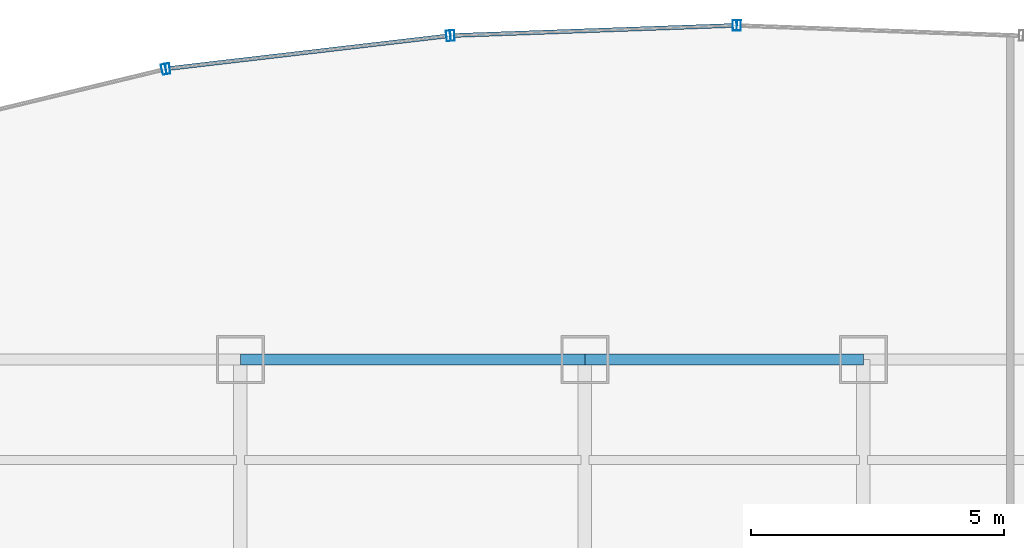
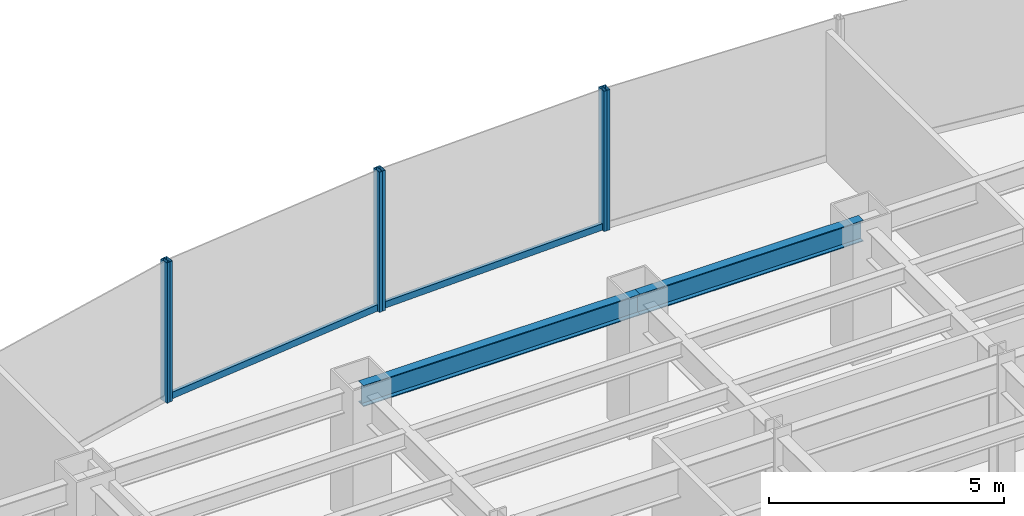
# One storey, part 13 of 23: 8 members, 2 beams, 4 elements without a shape of their own.
"""IFC4 building model written with IfcOpenShell, lengths in metres."""

from ifc_helpers import new_model, si_unit, derived_unit, direction, frame, origin, origin_2d, place, context, subcontext, project, spatial, hollow_rectangle, i_section, extrude, source, transform, mapped, material, material_profile, profile_set, type_object, element, aggregate, save


model = new_model("IFC4")

# Units and contexts
model_context = context("Model", 3, precision=1e-05, world=origin(), true_north=direction((0.0, 1.0)))
body_context = subcontext(model_context, "Body", "Model", "MODEL_VIEW")
ifc_project = project(units=[si_unit("LENGTHUNIT", "METRE"), si_unit("AREAUNIT", "SQUARE_METRE"), si_unit("VOLUMEUNIT", "CUBIC_METRE"), si_unit("PLANEANGLEUNIT", "RADIAN"), si_unit("MASSUNIT", "GRAM", prefix="KILO"), derived_unit("THERMALTRANSMITTANCEUNIT", [(si_unit("POWERUNIT", "WATT"), 1), (si_unit("LENGTHUNIT", "METRE"), -2), (si_unit("THERMODYNAMICTEMPERATUREUNIT", "KELVIN"), -1)])], contexts=[model_context])

# Site, building, storey
site_placement = place(None, origin())
site = spatial("IfcSite", under=ifc_project, at=site_placement, CompositionType="ELEMENT")
building_placement = place(site_placement, origin())
building = spatial("IfcBuilding", under=site, at=building_placement, Name="Skarnbrae Concourse Arena and Tower", CompositionType="ELEMENT")
storey_placement = place(building_placement, frame((0.0, 0.0, 50.75)))
storey = spatial("IfcBuildingStorey", under=building, at=storey_placement, Name="L11", CompositionType="ELEMENT", Elevation=50.75)

# Beams
ifc_material_1 = material(Name="Steel CSA G40.21 350W", Category="steel")
ifc_material_profile_1 = material_profile(ifc_material_1, i_section(OverallWidth=0.214111328125, OverallDepth=0.549072265625, WebThickness=0.0146484375, FlangeThickness=0.023681640625, at=origin_2d()), Name="W530X138")
ifc_profile_set_1 = profile_set([ifc_material_profile_1], Name="Steel CSA G40.21 350W")
beam_type = type_object("IfcBeamType", Name="BM-SPAN-W530X138", PredefinedType="SPANDREL", material=ifc_profile_set_1)
shared_shape_1 = source(origin(), body_context, "Body", "SweptSolid", [
    extrude(i_section(OverallWidth=0.214111328125, OverallDepth=0.549072265625, WebThickness=0.0146484375, FlangeThickness=0.023681640625, at=origin_2d()), origin(), (0.0, 0.0, 1.0), 6.800048828125),
])
beam_1_placement = place(storey_placement, frame((21.199951171875, 40.39990234375, 3.12548828125), z_axis=(1.0, 0.0, 0.0), x_axis=(0.0, 1.0, 0.0)))
element("IfcBeam", 1, at=beam_1_placement, inside=storey, type_object=beam_type, Name="L11 Perimeter spandrel Y40.4-3", PredefinedType="SPANDREL", context=body_context, shape_type="MappedRepresentation", body=[
    mapped(shared_shape_1, transform((0.0, 0.0, 0.0))),
])
shared_shape_2 = source(origin(), body_context, "Body", "SweptSolid", [
    extrude(i_section(OverallWidth=0.214111328125, OverallDepth=0.549072265625, WebThickness=0.0146484375, FlangeThickness=0.023681640625, at=origin_2d()), origin(), (0.0, 0.0, 1.0), 5.5),
])
beam_2_placement = place(storey_placement, frame((28.0, 40.39990234375, 3.12548828125), z_axis=(1.0, 0.0, 0.0), x_axis=(0.0, 1.0, 0.0)))
element("IfcBeam", 2, at=beam_2_placement, inside=storey, type_object=beam_type, Name="L11 Perimeter spandrel Y40.4-4", PredefinedType="SPANDREL", context=body_context, shape_type="MappedRepresentation", body=[
    mapped(shared_shape_2, transform((0.0, 0.0, 0.0))),
])

# Curtain wall, member
ifc_material_2 = material(Name="Bronze anodised aluminium 6063-T6", Category="aluminium")
curtain_wall_type = type_object("IfcCurtainWallType", Name="CW-SYS-03-PORTAL", PredefinedType="USERDEFINED", material=ifc_material_2)
curtain_wall_1_placement = place(storey_placement, origin())
curtain_wall_1 = element("IfcCurtainWall", 3, at=curtain_wall_1_placement, inside=storey, type_object=curtain_wall_type, Name="L11 Unitised curtain wall CW-L11-E13", ObjectType="UNITISED CURTAIN WALL", PredefinedType="USERDEFINED")
ifc_material_profile_2 = material_profile(ifc_material_2, hollow_rectangle(XDim=0.080078125, YDim=0.169921875, WallThickness=0.00439453125, at=origin_2d()), Name="ALU-TRAN-80X170")
ifc_profile_set_2 = profile_set([ifc_material_profile_2], Name="Bronze anodised aluminium 6063-T6")
member_type_1 = type_object("IfcMemberType", Name="CWT-CW-03", PredefinedType="USERDEFINED", material=ifc_profile_set_2)
shared_shape_3 = source(origin(), body_context, "Body", "SweptSolid", [
    extrude(hollow_rectangle(XDim=0.080078125, YDim=0.169921875, WallThickness=0.00439453125, at=origin_2d()), origin(), (0.0, 0.0, 1.0), 5.49658203125),
])
member_1_placement = place(storey_placement, frame((25.2666015625, 46.78759765625, 0.0849609375), z_axis=(-0.993247281455, -0.116016541417, 0.0), x_axis=(0.116016541417, -0.993247281455, 0.0)))
member_1 = element("IfcMember", 4, at=member_1_placement, type_object=member_type_1, Name="CW-L11-E13 Transom 1", ObjectType="TRANSOM", PredefinedType="USERDEFINED", context=body_context, shape_type="MappedRepresentation", body=[
    mapped(shared_shape_3, transform((0.0, 0.0, 0.0))),
])

curtain_wall_2_placement = place(storey_placement, origin())
curtain_wall_2 = element("IfcCurtainWall", 5, at=curtain_wall_2_placement, inside=storey, type_object=curtain_wall_type, Name="L11 Unitised curtain wall CW-L11-E12", ObjectType="UNITISED CURTAIN WALL", PredefinedType="USERDEFINED")
shared_shape_4 = source(origin(), body_context, "Body", "SweptSolid", [
    extrude(hollow_rectangle(XDim=0.080078125, YDim=0.169921875, WallThickness=0.00439453125, at=origin_2d()), origin(), (0.0, 0.0, 1.0), 5.497802734375),
])
member_2_placement = place(storey_placement, frame((30.920166015625, 46.9970703125, 0.0849609375), z_axis=(-0.999356047798, -0.03588160712, 0.0), x_axis=(0.03588160712, -0.999356047798, 0.0)))
member_2 = element("IfcMember", 6, at=member_2_placement, type_object=member_type_1, Name="CW-L11-E12 Transom 1", ObjectType="TRANSOM", PredefinedType="USERDEFINED", context=body_context, shape_type="MappedRepresentation", body=[
    mapped(shared_shape_4, transform((0.0, 0.0, 0.0))),
])

curtain_wall_3_placement = place(storey_placement, origin())
curtain_wall_3 = element("IfcCurtainWall", 7, at=curtain_wall_3_placement, inside=storey, type_object=curtain_wall_type, Name="L11 Unitised curtain wall CW-L11-E11", ObjectType="UNITISED CURTAIN WALL", PredefinedType="USERDEFINED")
ifc_material_profile_3 = material_profile(ifc_material_2, hollow_rectangle(XDim=0.080078125, YDim=0.2099609375, WallThickness=0.00439453125, at=origin_2d()), Name="ALU-MULL-80X210")
ifc_profile_set_3 = profile_set([ifc_material_profile_3], Name="Bronze anodised aluminium 6063-T6")
member_type_2 = type_object("IfcMemberType", Name="CWM-CW-03", PredefinedType="MULLION", material=ifc_profile_set_3)
shared_shape_5 = source(origin(), body_context, "Body", "SweptSolid", [
    extrude(hollow_rectangle(XDim=0.080078125, YDim=0.2099609375, WallThickness=0.00439453125, at=origin_2d()), origin(), (0.0, 0.0, 1.0), 3.64990234375),
])
member_3_placement = place(storey_placement, frame((31.0400390625, 46.99853515625, 0.0), z_axis=(0.0, 0.0, 1.0), x_axis=(-0.999355425188, 0.035898943527, 0.0)))
member_3 = element("IfcMember", 8, at=member_3_placement, type_object=member_type_2, Name="CW-L11-E11 Mullion 2", PredefinedType="MULLION", context=body_context, shape_type="MappedRepresentation", body=[
    mapped(shared_shape_5, transform((0.0, 0.0, 0.0))),
])
aggregate(curtain_wall_3, [member_3])

# Member
member_4_placement = place(storey_placement, frame((30.9599609375, 46.99853515625, 0.0), z_axis=(0.0, 0.0, 1.0), x_axis=(-0.999355425188, -0.035898943527, 0.0)))
member_4 = element("IfcMember", 9, at=member_4_placement, type_object=member_type_2, Name="CW-L11-E12 Mullion 1", PredefinedType="MULLION", context=body_context, shape_type="MappedRepresentation", body=[
    mapped(shared_shape_5, transform((0.0, 0.0, 0.0))),
])

member_5_placement = place(storey_placement, frame((25.385986328125, 46.79833984375, 0.0), z_axis=(0.0, 0.0, 1.0), x_axis=(-0.999355425188, -0.035898943527, 0.0)))
member_5 = element("IfcMember", 10, at=member_5_placement, type_object=member_type_2, Name="CW-L11-E12 Mullion 2", PredefinedType="MULLION", context=body_context, shape_type="MappedRepresentation", body=[
    mapped(shared_shape_5, transform((0.0, 0.0, 0.0))),
])

aggregate(curtain_wall_2, [member_4, member_5, member_2])

member_6_placement = place(storey_placement, frame((25.306396484375, 46.792236328125, 0.0), z_axis=(0.0, 0.0, 1.0), x_axis=(-0.99324457001, -0.116039752435, 0.0)))
member_6 = element("IfcMember", 11, at=member_6_placement, type_object=member_type_2, Name="CW-L11-E13 Mullion 1", PredefinedType="MULLION", context=body_context, shape_type="MappedRepresentation", body=[
    mapped(shared_shape_5, transform((0.0, 0.0, 0.0))),
])

member_7_placement = place(storey_placement, frame((19.767333984375, 46.14501953125, 0.0), z_axis=(0.0, 0.0, 1.0), x_axis=(-0.99324457001, -0.116039752435, 0.0)))
member_7 = element("IfcMember", 12, at=member_7_placement, type_object=member_type_2, Name="CW-L11-E13 Mullion 2", PredefinedType="MULLION", context=body_context, shape_type="MappedRepresentation", body=[
    mapped(shared_shape_5, transform((0.0, 0.0, 0.0))),
])

aggregate(curtain_wall_1, [member_6, member_7, member_1])

# Curtain wall, member
curtain_wall_4_placement = place(storey_placement, origin())
curtain_wall_4 = element("IfcCurtainWall", 13, at=curtain_wall_4_placement, inside=storey, type_object=curtain_wall_type, Name="L11 Unitised curtain wall CW-L11-E14", ObjectType="UNITISED CURTAIN WALL", PredefinedType="USERDEFINED")
member_8_placement = place(storey_placement, frame((19.688720703125, 46.131103515625, 0.0), z_axis=(0.0, 0.0, 1.0), x_axis=(-0.971973721569, -0.235089524607, 0.0)))
member_8 = element("IfcMember", 14, at=member_8_placement, type_object=member_type_2, Name="CW-L11-E14 Mullion 1", PredefinedType="MULLION", context=body_context, shape_type="MappedRepresentation", body=[
    mapped(shared_shape_5, transform((0.0, 0.0, 0.0))),
])
aggregate(curtain_wall_4, [member_8])

save(model, "model.ifc")
